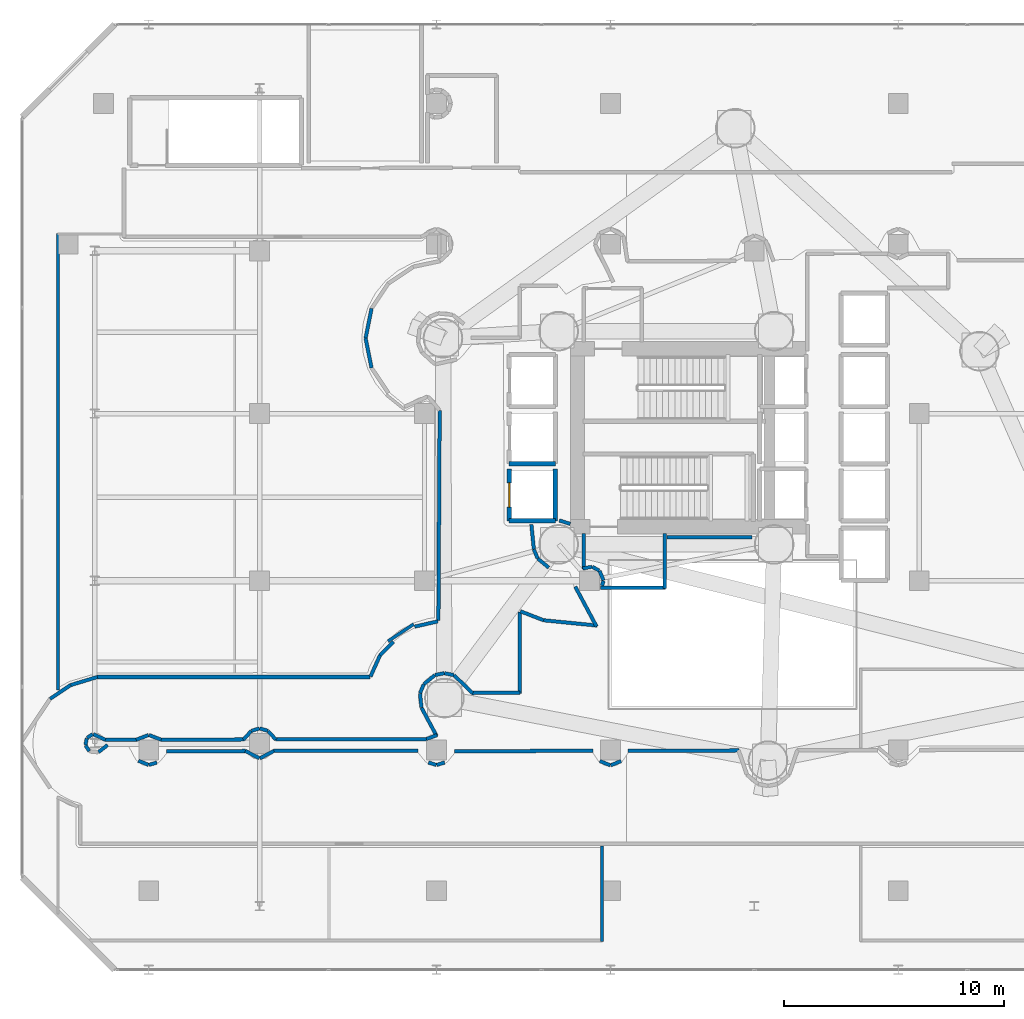
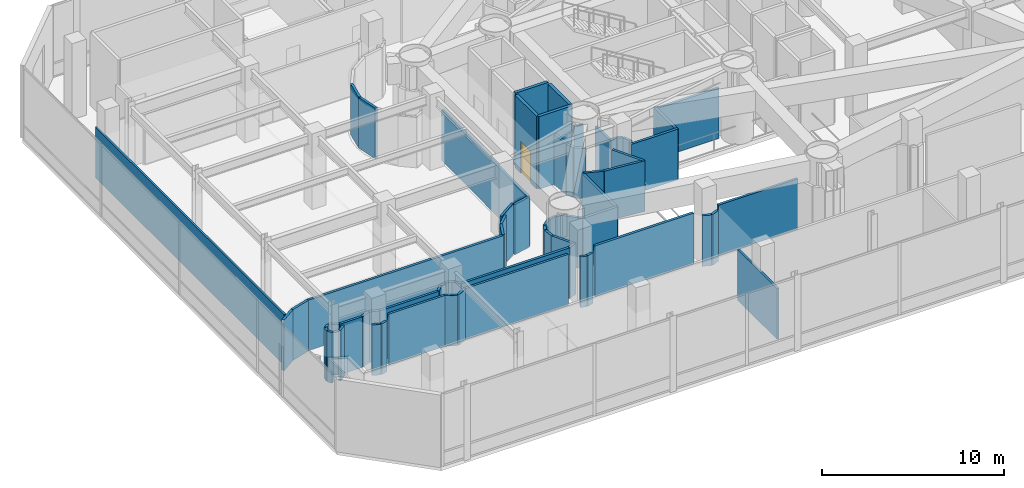
# One storey, part 30 of 40: 67 walls, 1 door, 1 opening.
"""IFC4 building model written with IfcOpenShell, lengths in metres."""

from ifc_helpers import new_model, si_unit, direction, frame, frame_2d, origin, place, context, subcontext, project, spatial, rectangle, extrude, material, layer, layer_set, type_object, element, fill, save


model = new_model("IFC4")

# Units and contexts
model_context = context("Model", 3, precision=1e-05, world=origin(), true_north=direction((0.0, 1.0)))
body_context = subcontext(model_context, "Body", "Model", "MODEL_VIEW")
ifc_project = project(units=[si_unit("LENGTHUNIT", "METRE"), si_unit("AREAUNIT", "SQUARE_METRE"), si_unit("VOLUMEUNIT", "CUBIC_METRE"), si_unit("PLANEANGLEUNIT", "RADIAN"), si_unit("MASSUNIT", "GRAM", prefix="KILO")], contexts=[model_context])

# Site, building, storey
site_placement = place(None, origin())
site = spatial("IfcSite", under=ifc_project, at=site_placement, CompositionType="ELEMENT")
building_placement = place(site_placement, origin())
building = spatial("IfcBuilding", under=site, at=building_placement, Name="Qianvela Tower", CompositionType="ELEMENT")
storey_placement = place(building_placement, frame((0.0, 0.0, 20.60009765625)))
storey = spatial("IfcBuildingStorey", under=building, at=storey_placement, Name="L04", CompositionType="ELEMENT", Elevation=20.60009765625)

# Walls
ifc_material_1 = material(Name="Fire-Rated Gypsum and Concrete Block", Category="concrete")
ifc_layer_1 = layer(ifc_material_1, 0.159912109375)
ifc_layer_set_1 = layer_set([ifc_layer_1], Name="Fire-Rated Gypsum and Concrete Block")
wall_type_1 = type_object("IfcWallType", Name="WT-CORR-160", PredefinedType="PARTITIONING", material=ifc_layer_set_1)
wall_1_placement = place(storey_placement, frame((30.569091796875, 21.970458984375, 0.0), z_axis=(0.0, 0.0, 1.0), x_axis=(0.304162531931, 0.952620152091, 0.0)))
element("IfcWall", 1, at=wall_1_placement, inside=storey, type_object=wall_type_1, Name="L04 Partition 5", PredefinedType="PARTITIONING", context=body_context, shape_type="SweptSolid", body=[
    extrude(rectangle(XDim=0.231201171875, YDim=0.159912109375, at=frame_2d((0.11572265625, 0.0))), origin(), (0.0, 0.0, 1.0), 3.39990234375),
])
wall_2_placement = place(storey_placement, frame((30.638671875, 22.2119140625, 0.0), z_axis=(0.0, 0.0, 1.0), x_axis=(-0.382721202621, 0.923863886655, 0.0)))
element("IfcWall", 2, at=wall_2_placement, inside=storey, type_object=wall_type_1, Name="L04 Partition 6", PredefinedType="PARTITIONING", context=body_context, shape_type="SweptSolid", body=[
    extrude(rectangle(XDim=0.467041015625, YDim=0.159912109375, at=frame_2d((0.2333984375, 0.0))), origin(), (0.0, 0.0, 1.0), 3.39990234375),
])
wall_3_placement = place(storey_placement, frame((30.44580078125, 22.65869140625, 0.0), z_axis=(0.0, 0.0, 1.0), x_axis=(-0.881817981942, 0.471589913721, 0.0)))
element("IfcWall", 3, at=wall_3_placement, inside=storey, type_object=wall_type_1, Name="L04 Partition 7", PredefinedType="PARTITIONING", context=body_context, shape_type="SweptSolid", body=[
    extrude(rectangle(XDim=0.35400390625, YDim=0.159912109375, at=frame_2d((0.177001953125, 0.0))), origin(), (0.0, 0.0, 1.0), 3.39990234375),
])
wall_4_placement = place(storey_placement, frame((30.114013671875, 22.828857421875, 0.0), z_axis=(0.0, 0.0, 1.0), x_axis=(-0.986222627979, -0.165423480989, 0.0)))
element("IfcWall", 4, at=wall_4_placement, inside=storey, type_object=wall_type_1, Name="L04 Partition 8", PredefinedType="PARTITIONING", context=body_context, shape_type="SweptSolid", body=[
    extrude(rectangle(XDim=0.425048828125, YDim=0.159912109375, at=frame_2d((0.21240234375, 0.0))), origin(), (0.0, 0.0, 1.0), 3.39990234375),
])
wall_5_placement = place(storey_placement, frame((29.73095703125, 22.72802734375, 0.0), z_axis=(0.0, 0.0, 1.0), x_axis=(0.0, 1.0, 0.0)))
element("IfcWall", 5, at=wall_5_placement, inside=storey, type_object=wall_type_1, Name="L04 Partition 9", PredefinedType="PARTITIONING", context=body_context, shape_type="SweptSolid", body=[
    extrude(rectangle(XDim=1.614013671875, YDim=0.159912109375, at=frame_2d((0.80712890625, 0.0))), origin(), (0.0, 0.0, 1.0), 3.3779296875),
])
wall_6_placement = place(storey_placement, frame((33.4189453125, 24.342041015625, 0.0), z_axis=(0.0, 0.0, 1.0), x_axis=(0.0, -1.0, 0.0)))
element("IfcWall", 6, at=wall_6_placement, inside=storey, type_object=wall_type_1, Name="L04 Partition 11", PredefinedType="PARTITIONING", context=body_context, shape_type="SweptSolid", body=[
    extrude(rectangle(XDim=2.491943359375, YDim=0.159912109375, at=frame_2d((1.24609375, 0.0))), origin(), (0.0, 0.0, 1.0), 3.3779296875),
])
wall_7_placement = place(storey_placement, frame((33.449951171875, 21.881103515625, 0.0), z_axis=(0.0, 0.0, 1.0), x_axis=(-1.0, 0.0, 0.0)))
element("IfcWall", 7, at=wall_7_placement, inside=storey, type_object=wall_type_1, Name="L04 Partition 12", PredefinedType="PARTITIONING", context=body_context, shape_type="SweptSolid", body=[
    extrude(rectangle(XDim=2.951904296875, YDim=0.159912109375, at=frame_2d((1.47607421875, 0.0))), origin(), (0.0, 0.0, 1.0), 3.39990234375),
])
wall_8_placement = place(storey_placement, frame((29.1298828125, 24.781982421875, 0.0), z_axis=(0.0, 0.0, 1.0), x_axis=(-0.955000482512, 0.296604245422, 0.0)))
element("IfcWall", 8, at=wall_8_placement, inside=storey, type_object=wall_type_1, Name="L04 Partition 29", PredefinedType="PARTITIONING", context=body_context, shape_type="SweptSolid", body=[
    extrude(rectangle(XDim=0.5244140625, YDim=0.159912109375, at=frame_2d((0.26220703125, 0.0))), origin(), (0.0, 0.0, 1.0), 3.39990234375),
])
wall_9_placement = place(storey_placement, frame((37.388671875, 24.180908203125, 0.0), z_axis=(0.0, 0.0, 1.0), x_axis=(-1.0, 0.0, 0.0)))
element("IfcWall", 9, at=wall_9_placement, inside=storey, type_object=wall_type_1, Name="L04 Partition 35", PredefinedType="PARTITIONING", context=body_context, shape_type="SweptSolid", body=[
    extrude(rectangle(XDim=3.858642578125, YDim=0.159912109375, at=frame_2d((1.92919921875, 0.0))), origin(), (0.0, 0.0, 1.0), 3.3779296875),
])
wall_10_placement = place(storey_placement, frame((7.982177734375, 14.9580078125, 0.0), z_axis=(0.0, 0.0, 1.0), x_axis=(-0.901711421795, 0.432338422771, 0.0)))
element("IfcWall", 10, at=wall_10_placement, inside=storey, type_object=wall_type_1, Name="L04 Partition 36", PredefinedType="PARTITIONING", context=body_context, shape_type="SweptSolid", body=[
    extrude(rectangle(XDim=0.6064453125, YDim=0.159912109375, at=frame_2d((0.30322265625, 0.0))), origin(), (0.0, 0.0, 1.0), 3.39990234375),
])
for number, where, z_axis, x_axis, name in (
    (11, (7.40478515625, 15.218017578125, 0.0), (0.0, 0.0, 1.0), (-0.83180482467, -0.555068224325, 0.0), "L04 Partition 37"),
    (12, (7.136962890625, 15.0283203125, 0.0), (0.0, 0.0, 1.0), (-0.194582302114, -0.980886195083, 0.0), "L04 Partition 38"),
    (13, (7.081787109375, 14.70458984375, 0.0), (0.0, 0.0, 1.0), (0.555988102953, -0.831190248604, 0.0), "L04 Partition 39"),
):
    element("IfcWall", number, at=place(storey_placement, frame(where, z_axis=z_axis, x_axis=x_axis)), inside=storey, type_object=wall_type_1, Name=name, PredefinedType="PARTITIONING", context=body_context, shape_type="SweptSolid", body=[
        extrude(rectangle(XDim=0.30615234375, YDim=0.159912109375, at=frame_2d((0.153076171875, 0.0))), origin(), (0.0, 0.0, 1.0), 3.39990234375),
    ])
wall_11_placement = place(storey_placement, frame((7.672119140625, 14.406005859375, 0.0), z_axis=(0.0, 0.0, 1.0), x_axis=(0.791408132768, 0.611288121419, 0.0)))
element("IfcWall", 14, at=wall_11_placement, inside=storey, type_object=wall_type_1, Name="L04 Partition 41", PredefinedType="PARTITIONING", context=body_context, shape_type="SweptSolid", body=[
    extrude(rectangle(XDim=0.523193359375, YDim=0.159912109375, at=frame_2d((0.26171875, 0.0))), origin(), (0.0, 0.0, 1.0), 3.39990234375),
])
wall_12_placement = place(storey_placement, frame((9.48388671875, 14.01171875, 0.0), z_axis=(0.0, 0.0, 1.0), x_axis=(0.923873311503, -0.382698450862, 0.0)))
element("IfcWall", 15, at=wall_12_placement, inside=storey, type_object=wall_type_1, Name="L04 Partition 44", PredefinedType="PARTITIONING", context=body_context, shape_type="SweptSolid", body=[
    extrude(rectangle(XDim=0.49755859375, YDim=0.159912109375, at=frame_2d((0.248779296875, 0.0))), origin(), (0.0, 0.0, 1.0), 3.39990234375),
])
wall_13_placement = place(storey_placement, frame((9.96435546875, 13.8203125, 0.0), z_axis=(0.0, 0.0, 1.0), x_axis=(0.956877365317, 0.290492181898, 0.0)))
element("IfcWall", 16, at=wall_13_placement, inside=storey, type_object=wall_type_1, Name="L04 Partition 45", PredefinedType="PARTITIONING", context=body_context, shape_type="SweptSolid", body=[
    extrude(rectangle(XDim=0.37744140625, YDim=0.159912109375, at=frame_2d((0.188720703125, 0.0))), origin(), (0.0, 0.0, 1.0), 3.39990234375),
])
wall_14_placement = place(storey_placement, frame((10.772216796875, 14.4443359375, 0.0), z_axis=(0.0, 0.0, 1.0), x_axis=(0.999996839238, 0.002514262235, 0.0)))
element("IfcWall", 17, at=wall_14_placement, inside=storey, type_object=wall_type_1, Name="L04 Partition 47", PredefinedType="PARTITIONING", context=body_context, shape_type="SweptSolid", body=[
    extrude(rectangle(XDim=3.5927734375, YDim=0.159912109375, at=frame_2d((1.79638671875, 0.0))), origin(), (0.0, 0.0, 1.0), 3.39990234375),
])
wall_15_placement = place(storey_placement, frame((14.350341796875, 14.45703125, 0.0), z_axis=(0.0, 0.0, 1.0), x_axis=(0.884844444862, -0.46588658319, 0.0)))
element("IfcWall", 18, at=wall_15_placement, inside=storey, type_object=wall_type_1, Name="L04 Partition 48", PredefinedType="PARTITIONING", context=body_context, shape_type="SweptSolid", body=[
    extrude(rectangle(XDim=0.718017578125, YDim=0.159912109375, at=frame_2d((0.35888671875, 0.0))), origin(), (0.0, 0.0, 1.0), 3.39990234375),
])
wall_16_placement = place(storey_placement, frame((15.014404296875, 14.12255859375, 0.0), z_axis=(0.0, 0.0, 1.0), x_axis=(0.884206543693, 0.467096122967, 0.0)))
element("IfcWall", 19, at=wall_16_placement, inside=storey, type_object=wall_type_1, Name="L04 Partition 49", PredefinedType="PARTITIONING", context=body_context, shape_type="SweptSolid", body=[
    extrude(rectangle(XDim=0.722900390625, YDim=0.159912109375, at=frame_2d((0.361328125, 0.0))), origin(), (0.0, 0.0, 1.0), 3.39990234375),
])
wall_17_placement = place(storey_placement, frame((15.63916015625, 14.45654296875, 0.0), z_axis=(0.0, 0.0, 1.0), x_axis=(0.99999689636, 0.002491439538, 0.0)))
element("IfcWall", 20, at=wall_17_placement, inside=storey, type_object=wall_type_1, Name="L04 Partition 50", PredefinedType="PARTITIONING", context=body_context, shape_type="SweptSolid", body=[
    extrude(rectangle(XDim=6.5654296875, YDim=0.159912109375, at=frame_2d((3.28271484375, 0.0))), origin(), (0.0, 0.0, 1.0), 3.39990234375),
])
for number, where, z_axis, x_axis, name in (
    (21, (22.674560546875, 13.929931640625, 0.0), (0.0, 0.0, 1.0), (0.956877365317, -0.290492181898, 0.0), "L04 Partition 52"),
    (22, (23.0537109375, 13.8203125, 0.0), (0.0, 0.0, 1.0), (0.956877365317, 0.290492181898, 0.0), "L04 Partition 53"),
):
    element("IfcWall", number, at=place(storey_placement, frame(where, z_axis=z_axis, x_axis=x_axis)), inside=storey, type_object=wall_type_1, Name=name, PredefinedType="PARTITIONING", context=body_context, shape_type="SweptSolid", body=[
        extrude(rectangle(XDim=0.37744140625, YDim=0.159912109375, at=frame_2d((0.188720703125, 0.0))), origin(), (0.0, 0.0, 1.0), 3.39990234375),
    ])
wall_18_placement = place(storey_placement, frame((23.861328125, 14.4443359375, 0.0), z_axis=(0.0, 0.0, 1.0), x_axis=(0.999996837175, 0.002515082588, 0.0)))
element("IfcWall", 23, at=wall_18_placement, inside=storey, type_object=wall_type_1, Name="L04 Partition 55", PredefinedType="PARTITIONING", context=body_context, shape_type="SweptSolid", body=[
    extrude(rectangle(XDim=6.3095703125, YDim=0.159912109375, at=frame_2d((3.15478515625, 0.0))), origin(), (0.0, 0.0, 1.0), 3.39990234375),
])
wall_19_placement = place(storey_placement, frame((30.4697265625, 13.99755859375, 0.0), z_axis=(0.0, 0.0, 1.0), x_axis=(0.924045828763, -0.382281710714, 0.0)))
element("IfcWall", 24, at=wall_19_placement, inside=storey, type_object=wall_type_1, Name="L04 Partition 56", PredefinedType="PARTITIONING", context=body_context, shape_type="SweptSolid", body=[
    extrude(rectangle(XDim=0.512939453125, YDim=0.159912109375, at=frame_2d((0.25634765625, 0.0))), origin(), (0.0, 0.0, 1.0), 3.39990234375),
])
wall_20_placement = place(storey_placement, frame((30.96728515625, 13.801513671875, 0.0), z_axis=(0.0, 0.0, 1.0), x_axis=(0.923976210744, 0.382449947024, 0.0)))
element("IfcWall", 25, at=wall_20_placement, inside=storey, type_object=wall_type_1, Name="L04 Partition 57", PredefinedType="PARTITIONING", context=body_context, shape_type="SweptSolid", body=[
    extrude(rectangle(XDim=0.5126953125, YDim=0.159912109375, at=frame_2d((0.25634765625, 0.0))), origin(), (0.0, 0.0, 1.0), 3.39990234375),
])
wall_21_placement = place(storey_placement, frame((31.74267578125, 14.464111328125, 0.0), z_axis=(0.0, 0.0, 1.0), x_axis=(0.999996856908, 0.002507224521, 0.0)))
element("IfcWall", 26, at=wall_21_placement, inside=storey, type_object=wall_type_1, Name="L04 Partition 58", PredefinedType="PARTITIONING", context=body_context, shape_type="SweptSolid", body=[
    extrude(rectangle(XDim=5.0634765625, YDim=0.159912109375, at=frame_2d((2.53173828125, 0.0))), origin(), (0.0, 0.0, 1.0), 3.3779296875),
])
wall_22_placement = place(storey_placement, frame((5.466552734375, 16.82470703125, 0.0), z_axis=(0.0, 0.0, 1.0), x_axis=(0.831385943955, 0.555695431144, 0.0)))
element("IfcWall", 27, at=wall_22_placement, inside=storey, type_object=wall_type_1, Name="L04 Partition 92", PredefinedType="PARTITIONING", context=body_context, shape_type="SweptSolid", body=[
    extrude(rectangle(XDim=1.1318359375, YDim=0.159912109375, at=frame_2d((0.56591796875, 0.0))), origin(), (0.0, 0.0, 1.0), 3.39990234375),
])
wall_23_placement = place(storey_placement, frame((6.399169921875, 17.44970703125, 0.0), z_axis=(0.0, 0.0, 1.0), x_axis=(0.956969723054, 0.29018778258, 0.0)))
element("IfcWall", 28, at=wall_23_placement, inside=storey, type_object=wall_type_1, Name="L04 Partition 93", PredefinedType="PARTITIONING", context=body_context, shape_type="SweptSolid", body=[
    extrude(rectangle(XDim=1.277099609375, YDim=0.159912109375, at=frame_2d((0.638671875, 0.0))), origin(), (0.0, 0.0, 1.0), 3.39990234375),
])
wall_24_placement = place(storey_placement, frame((7.6123046875, 17.819091796875, 0.0), z_axis=(0.0, 0.0, 1.0), x_axis=(1.0, 0.0, 0.0)))
element("IfcWall", 29, at=wall_24_placement, inside=storey, type_object=wall_type_1, Name="L04 Partition 94", PredefinedType="PARTITIONING", context=body_context, shape_type="SweptSolid", body=[
    extrude(rectangle(XDim=12.400146484375, YDim=0.159912109375, at=frame_2d((6.2001953125, 0.0))), origin(), (0.0, 0.0, 1.0), 3.39990234375),
])
wall_25_placement = place(storey_placement, frame((20.040771484375, 17.83740234375, 0.0), z_axis=(0.0, 0.0, 1.0), x_axis=(0.408788829115, 0.912629000849, 0.0)))
element("IfcWall", 30, at=wall_25_placement, inside=storey, type_object=wall_type_1, Name="L04 Partition 95", PredefinedType="PARTITIONING", context=body_context, shape_type="SweptSolid", body=[
    extrude(rectangle(XDim=1.076171875, YDim=0.159912109375, at=frame_2d((0.5380859375, 0.0))), origin(), (0.0, 0.0, 1.0), 3.39990234375),
])
wall_26_placement = place(storey_placement, frame((20.47412109375, 18.810302734375, 0.0), z_axis=(0.0, 0.0, 1.0), x_axis=(0.707106781187, 0.707106781187, 0.0)))
element("IfcWall", 31, at=wall_26_placement, inside=storey, type_object=wall_type_1, Name="L04 Partition 96", PredefinedType="PARTITIONING", context=body_context, shape_type="SweptSolid", body=[
    extrude(rectangle(XDim=0.87109375, YDim=0.159912109375, at=frame_2d((0.435546875, 0.0))), origin(), (0.0, 0.0, 1.0), 3.39990234375),
])
wall_27_placement = place(storey_placement, frame((22.052490234375, 20.109619140625, 0.0), z_axis=(0.0, 0.0, 1.0), x_axis=(0.975015186626, 0.222138213392, 0.0)))
element("IfcWall", 32, at=wall_27_placement, inside=storey, type_object=wall_type_1, Name="L04 Partition 98", PredefinedType="PARTITIONING", context=body_context, shape_type="SweptSolid", body=[
    extrude(rectangle(XDim=1.08154296875, YDim=0.159912109375, at=frame_2d((0.540771484375, 0.0))), origin(), (0.0, 0.0, 1.0), 3.3779296875),
])
wall_28_placement = place(storey_placement, frame((23.131103515625, 20.3798828125, 0.0), z_axis=(0.0, 0.0, 1.0), x_axis=(0.005956079326, 0.999982262402, 0.0)))
element("IfcWall", 33, at=wall_28_placement, inside=storey, type_object=wall_type_1, Name="L04 Partition 99", PredefinedType="PARTITIONING", context=body_context, shape_type="SweptSolid", body=[
    extrude(rectangle(XDim=9.55078125, YDim=0.159912109375, at=frame_2d((4.775390625, 0.0))), origin(), (0.0, 0.0, 1.0), 3.3779296875),
])
wall_29_placement = place(storey_placement, frame((20.088623046875, 31.87548828125, 0.0), z_axis=(0.0, 0.0, 1.0), x_axis=(-0.195132981816, 0.980776793877, 0.0)))
element("IfcWall", 34, at=wall_29_placement, inside=storey, type_object=wall_type_1, Name="L04 Partition 104", PredefinedType="PARTITIONING", context=body_context, shape_type="SweptSolid", body=[
    extrude(rectangle(XDim=1.385009765625, YDim=0.159912109375, at=frame_2d((0.6923828125, 0.0))), origin(), (0.0, 0.0, 1.0), 3.39990234375),
])
wall_30_placement = place(storey_placement, frame((19.818359375, 33.221923828125, 0.0), z_axis=(0.0, 0.0, 1.0), x_axis=(0.195099252282, 0.980783504021, 0.0)))
element("IfcWall", 35, at=wall_30_placement, inside=storey, type_object=wall_type_1, Name="L04 Partition 105", PredefinedType="PARTITIONING", context=body_context, shape_type="SweptSolid", body=[
    extrude(rectangle(XDim=1.38525390625, YDim=0.159912109375, at=frame_2d((0.692626953125, 0.0))), origin(), (0.0, 0.0, 1.0), 3.39990234375),
])
wall_31_placement = place(storey_placement, frame((27.359619140625, 24.757080078125, 0.0), z_axis=(0.0, 0.0, 1.0), x_axis=(0.097947688066, -0.995191564676, 0.0)))
element("IfcWall", 36, at=wall_31_placement, inside=storey, type_object=wall_type_1, Name="L04 Partition 156", PredefinedType="PARTITIONING", context=body_context, shape_type="SweptSolid", body=[
    extrude(rectangle(XDim=1.134033203125, YDim=0.159912109375, at=frame_2d((0.56689453125, 0.0))), origin(), (0.0, 0.0, 1.0), 3.39990234375),
])
wall_32_placement = place(storey_placement, frame((27.472900390625, 23.61962890625, 0.0), z_axis=(0.0, 0.0, 1.0), x_axis=(0.382631351728, -0.923901103298, 0.0)))
element("IfcWall", 37, at=wall_32_placement, inside=storey, type_object=wall_type_1, Name="L04 Partition 157", PredefinedType="PARTITIONING", context=body_context, shape_type="SweptSolid", body=[
    extrude(rectangle(XDim=0.43701171875, YDim=0.159912109375, at=frame_2d((0.218505859375, 0.0))), origin(), (0.0, 0.0, 1.0), 3.3779296875),
])
wall_33_placement = place(storey_placement, frame((27.649169921875, 23.203857421875, 0.0), z_axis=(0.0, 0.0, 1.0), x_axis=(0.772818338666, -0.634627304346, 0.0)))
element("IfcWall", 38, at=wall_33_placement, inside=storey, type_object=wall_type_1, Name="L04 Partition 158", PredefinedType="PARTITIONING", context=body_context, shape_type="SweptSolid", body=[
    extrude(rectangle(XDim=0.650146484375, YDim=0.159912109375, at=frame_2d((0.3251953125, 0.0))), origin(), (0.0, 0.0, 1.0), 3.3779296875),
])
wall_34_placement = place(storey_placement, frame((29.353759765625, 21.928955078125, 0.0), z_axis=(0.0, 0.0, 1.0), x_axis=(0.471375681313, -0.881932518432, 0.0)))
element("IfcWall", 39, at=wall_34_placement, inside=storey, type_object=wall_type_1, Name="L04 Partition 161", PredefinedType="PARTITIONING", context=body_context, shape_type="SweptSolid", body=[
    extrude(rectangle(XDim=2.059326171875, YDim=0.159912109375, at=frame_2d((1.02978515625, 0.0))), origin(), (0.0, 0.0, 1.0), 3.39990234375),
])
wall_35_placement = place(storey_placement, frame((30.354736328125, 20.158203125, 0.0), z_axis=(0.0, 0.0, 1.0), x_axis=(-0.995175956992, 0.098106139588, 0.0)))
element("IfcWall", 40, at=wall_35_placement, inside=storey, type_object=wall_type_1, Name="L04 Partition 162", PredefinedType="PARTITIONING", context=body_context, shape_type="SweptSolid", body=[
    extrude(rectangle(XDim=2.456298828125, YDim=0.159912109375, at=frame_2d((1.22802734375, 0.0))), origin(), (0.0, 0.0, 1.0), 3.39990234375),
])
wall_36_placement = place(storey_placement, frame((27.918701171875, 20.397216796875, 0.0), z_axis=(0.0, 0.0, 1.0), x_axis=(-0.932053116436, 0.362321663915, 0.0)))
element("IfcWall", 41, at=wall_36_placement, inside=storey, type_object=wall_type_1, Name="L04 Partition 163", PredefinedType="PARTITIONING", context=body_context, shape_type="SweptSolid", body=[
    extrude(rectangle(XDim=1.134765625, YDim=0.159912109375, at=frame_2d((0.5673828125, 0.0))), origin(), (0.0, 0.0, 1.0), 3.39990234375),
])
wall_37_placement = place(storey_placement, frame((26.819091796875, 20.779541015625, 0.0), z_axis=(0.0, 0.0, 1.0), x_axis=(0.0, -1.0, 0.0)))
element("IfcWall", 42, at=wall_37_placement, inside=storey, type_object=wall_type_1, Name="L04 Partition 164", PredefinedType="PARTITIONING", context=body_context, shape_type="SweptSolid", body=[
    extrude(rectangle(XDim=3.713623046875, YDim=0.159912109375, at=frame_2d((1.85693359375, 0.0))), origin(), (0.0, 0.0, 1.0), 3.3779296875),
])
wall_38_placement = place(storey_placement, frame((26.849853515625, 17.096923828125, 0.0), z_axis=(0.0, 0.0, 1.0), x_axis=(-0.999996725859, -0.002558959134, 0.0)))
element("IfcWall", 43, at=wall_38_placement, inside=storey, type_object=wall_type_1, Name="L04 Partition 165", PredefinedType="PARTITIONING", context=body_context, shape_type="SweptSolid", body=[
    extrude(rectangle(XDim=2.1943359375, YDim=0.159912109375, at=frame_2d((1.09716796875, 0.0))), origin(), (0.0, 0.0, 1.0), 3.3779296875),
])
wall_39_placement = place(storey_placement, frame((24.677490234375, 17.08251953125, 0.0), z_axis=(0.0, 0.0, 1.0), x_axis=(-0.713472491748, 0.700683240501, 0.0)))
element("IfcWall", 44, at=wall_39_placement, inside=storey, type_object=wall_type_1, Name="L04 Partition 166", PredefinedType="PARTITIONING", context=body_context, shape_type="SweptSolid", body=[
    extrude(rectangle(XDim=1.16455078125, YDim=0.159912109375, at=frame_2d((0.582275390625, 0.0))), origin(), (0.0, 0.0, 1.0), 3.3779296875),
])
wall_40_placement = place(storey_placement, frame((23.8310546875, 17.90673828125, 0.0), z_axis=(0.0, 0.0, 1.0), x_axis=(-0.980798750293, 0.195022592087, 0.0)))
element("IfcWall", 45, at=wall_40_placement, inside=storey, type_object=wall_type_1, Name="L04 Partition 167", PredefinedType="PARTITIONING", context=body_context, shape_type="SweptSolid", body=[
    extrude(rectangle(XDim=0.429443359375, YDim=0.159912109375, at=frame_2d((0.21484375, 0.0))), origin(), (0.0, 0.0, 1.0), 3.3779296875),
])
wall_41_placement = place(storey_placement, frame((23.39794921875, 17.990478515625, 0.0), z_axis=(0.0, 0.0, 1.0), x_axis=(-0.980777106964, -0.195131408172, 0.0)))
element("IfcWall", 46, at=wall_41_placement, inside=storey, type_object=wall_type_1, Name="L04 Partition 168", PredefinedType="PARTITIONING", context=body_context, shape_type="SweptSolid", body=[
    extrude(rectangle(XDim=0.42919921875, YDim=0.159912109375, at=frame_2d((0.214599609375, 0.0))), origin(), (0.0, 0.0, 1.0), 3.3779296875),
])
wall_42_placement = place(storey_placement, frame((22.96337890625, 17.900146484375, 0.0), z_axis=(0.0, 0.0, 1.0), x_axis=(-0.773087792469, -0.634299034474, 0.0)))
element("IfcWall", 47, at=wall_42_placement, inside=storey, type_object=wall_type_1, Name="L04 Partition 169", PredefinedType="PARTITIONING", context=body_context, shape_type="SweptSolid", body=[
    extrude(rectangle(XDim=0.638427734375, YDim=0.159912109375, at=frame_2d((0.3193359375, 0.0))), origin(), (0.0, 0.0, 1.0), 3.39990234375),
])
wall_43_placement = place(storey_placement, frame((22.460693359375, 17.48291015625, 0.0), z_axis=(0.0, 0.0, 1.0), x_axis=(-0.38283742983, -0.923815729635, 0.0)))
element("IfcWall", 48, at=wall_43_placement, inside=storey, type_object=wall_type_1, Name="L04 Partition 170", PredefinedType="PARTITIONING", context=body_context, shape_type="SweptSolid", body=[
    extrude(rectangle(XDim=0.42919921875, YDim=0.159912109375, at=frame_2d((0.214599609375, 0.0))), origin(), (0.0, 0.0, 1.0), 3.39990234375),
])
wall_44_placement = place(storey_placement, frame((22.294189453125, 17.071533203125, 0.0), z_axis=(0.0, 0.0, 1.0), x_axis=(0.098254498399, -0.995161320362, 0.0)))
element("IfcWall", 49, at=wall_44_placement, inside=storey, type_object=wall_type_1, Name="L04 Partition 171", PredefinedType="PARTITIONING", context=body_context, shape_type="SweptSolid", body=[
    extrude(rectangle(XDim=0.638671875, YDim=0.159912109375, at=frame_2d((0.3193359375, 0.0))), origin(), (0.0, 0.0, 1.0), 3.39990234375),
])
wall_45_placement = place(storey_placement, frame((22.3603515625, 16.42431640625, 0.0), z_axis=(0.0, 0.0, 1.0), x_axis=(0.471504621347, -0.881863590386, 0.0)))
element("IfcWall", 50, at=wall_45_placement, inside=storey, type_object=wall_type_1, Name="L04 Partition 172", PredefinedType="PARTITIONING", context=body_context, shape_type="SweptSolid", body=[
    extrude(rectangle(XDim=1.46533203125, YDim=0.159912109375, at=frame_2d((0.732666015625, 0.0))), origin(), (0.0, 0.0, 1.0), 3.39990234375),
])
wall_46_placement = place(storey_placement, frame((23.067626953125, 15.17578125, 0.0), z_axis=(0.0, 0.0, 1.0), x_axis=(-0.937469307534, -0.348067949447, 0.0)))
element("IfcWall", 51, at=wall_46_placement, inside=storey, type_object=wall_type_1, Name="L04 Partition 173", PredefinedType="PARTITIONING", context=body_context, shape_type="SweptSolid", body=[
    extrude(rectangle(XDim=0.516845703125, YDim=0.159912109375, at=frame_2d((0.25830078125, 0.0))), origin(), (0.0, 0.0, 1.0), 3.39990234375),
])
wall_47_placement = place(storey_placement, frame((22.593505859375, 14.997802734375, 0.0), z_axis=(0.0, 0.0, 1.0), x_axis=(-0.999996914371, -0.002484199872, 0.0)))
element("IfcWall", 52, at=wall_47_placement, inside=storey, type_object=wall_type_1, Name="L04 Partition 174", PredefinedType="PARTITIONING", context=body_context, shape_type="SweptSolid", body=[
    extrude(rectangle(XDim=6.87939453125, YDim=0.159912109375, at=frame_2d((3.439697265625, 0.0))), origin(), (0.0, 0.0, 1.0), 3.39990234375),
])
wall_48_placement = place(storey_placement, frame((15.737060546875, 14.97021484375, 0.0), z_axis=(0.0, 0.0, 1.0), x_axis=(-0.67026978841, 0.74211751815, 0.0)))
element("IfcWall", 53, at=wall_48_placement, inside=storey, type_object=wall_type_1, Name="L04 Partition 175", PredefinedType="PARTITIONING", context=body_context, shape_type="SweptSolid", body=[
    extrude(rectangle(XDim=0.526611328125, YDim=0.159912109375, at=frame_2d((0.26318359375, 0.0))), origin(), (0.0, 0.0, 1.0), 3.39990234375),
])
for number, where, z_axis, x_axis, name in (
    (54, (15.3701171875, 15.3701171875, 0.0), (0.0, 0.0, 1.0), (-0.956877365317, 0.290492181898, 0.0), "L04 Partition 176"),
    (55, (14.990966796875, 15.479736328125, 0.0), (0.0, 0.0, 1.0), (-0.956877365317, -0.290492181898, 0.0), "L04 Partition 177"),
):
    element("IfcWall", number, at=place(storey_placement, frame(where, z_axis=z_axis, x_axis=x_axis)), inside=storey, type_object=wall_type_1, Name=name, PredefinedType="PARTITIONING", context=body_context, shape_type="SweptSolid", body=[
        extrude(rectangle(XDim=0.37744140625, YDim=0.159912109375, at=frame_2d((0.188720703125, 0.0))), origin(), (0.0, 0.0, 1.0), 3.39990234375),
    ])
wall_49_placement = place(storey_placement, frame((14.615966796875, 15.361083984375, 0.0), z_axis=(0.0, 0.0, 1.0), x_axis=(-0.670106609801, -0.742264866137, 0.0)))
element("IfcWall", 56, at=wall_49_placement, inside=storey, type_object=wall_type_1, Name="L04 Partition 178", PredefinedType="PARTITIONING", context=body_context, shape_type="SweptSolid", body=[
    extrude(rectangle(XDim=0.53125, YDim=0.159912109375, at=frame_2d((0.265625, 0.0))), origin(), (0.0, 0.0, 1.0), 3.39990234375),
])
wall_50_placement = place(storey_placement, frame((14.282958984375, 14.97705078125, 0.0), z_axis=(0.0, 0.0, 1.0), x_axis=(-0.999996814453, -0.002524100431, 0.0)))
element("IfcWall", 57, at=wall_50_placement, inside=storey, type_object=wall_type_1, Name="L04 Partition 179", PredefinedType="PARTITIONING", context=body_context, shape_type="SweptSolid", body=[
    extrude(rectangle(XDim=3.772216796875, YDim=0.159912109375, at=frame_2d((1.88623046875, 0.0))), origin(), (0.0, 0.0, 1.0), 3.39990234375),
])
wall_51_placement = place(storey_placement, frame((10.52197265625, 14.965576171875, 0.0), z_axis=(0.0, 0.0, 1.0), x_axis=(-0.933483016847, 0.358621607351, 0.0)))
element("IfcWall", 58, at=wall_51_placement, inside=storey, type_object=wall_type_1, Name="L04 Partition 180", PredefinedType="PARTITIONING", context=body_context, shape_type="SweptSolid", body=[
    extrude(rectangle(XDim=0.594970703125, YDim=0.159912109375, at=frame_2d((0.29736328125, 0.0))), origin(), (0.0, 0.0, 1.0), 3.39990234375),
])
wall_52_placement = place(storey_placement, frame((9.944091796875, 15.178955078125, 0.0), z_axis=(0.0, 0.0, 1.0), x_axis=(-0.932947074908, -0.360013548941, 0.0)))
element("IfcWall", 59, at=wall_52_placement, inside=storey, type_object=wall_type_1, Name="L04 Partition 181", PredefinedType="PARTITIONING", context=body_context, shape_type="SweptSolid", body=[
    extrude(rectangle(XDim=0.600830078125, YDim=0.159912109375, at=frame_2d((0.30029296875, 0.0))), origin(), (0.0, 0.0, 1.0), 3.39990234375),
])
wall_53_placement = place(storey_placement, frame((9.39453125, 14.96484375, 0.0), z_axis=(0.0, 0.0, 1.0), x_axis=(-0.999996701438, -0.002568484678, 0.0)))
element("IfcWall", 60, at=wall_53_placement, inside=storey, type_object=wall_type_1, Name="L04 Partition 182", PredefinedType="PARTITIONING", context=body_context, shape_type="SweptSolid", body=[
    extrude(rectangle(XDim=1.42578125, YDim=0.159912109375, at=frame_2d((0.712890625, 0.0))), origin(), (0.0, 0.0, 1.0), 3.39990234375),
])
ifc_material_2 = material(Name="Insulated Gypsum Stud Partition")
ifc_layer_2 = layer(ifc_material_2, 0.1201171875)
ifc_layer_set_2 = layer_set([ifc_layer_2], Name="Insulated Gypsum Stud Partition")
wall_type_2 = type_object("IfcWallType", Name="WT-PART-120", PredefinedType="PARTITIONING", material=ifc_layer_set_2)
wall_54_placement = place(storey_placement, frame((5.8310546875, 17.218505859375, 0.0), z_axis=(0.0, 0.0, 1.0), x_axis=(0.0, 1.0, 0.0)))
element("IfcWall", 61, at=wall_54_placement, inside=storey, type_object=wall_type_2, Name="L04 Partition 254", PredefinedType="PARTITIONING", context=body_context, shape_type="SweptSolid", body=[
    extrude(rectangle(XDim=20.781494140625, YDim=0.1201171875, at=frame_2d((10.390625, 0.0))), origin(), (0.0, 0.0, 1.0), 3.39990234375),
])
ifc_material_3 = material(Name="Acoustic Double Gypsum Stud Partition")
ifc_layer_3 = layer(ifc_material_3, 0.139892578125)
ifc_layer_set_3 = layer_set([ifc_layer_3], Name="Acoustic Double Gypsum Stud Partition")
wall_type_3 = type_object("IfcWallType", Name="WT-ROOM-140", PredefinedType="PARTITIONING", material=ifc_layer_set_3)
wall_55_placement = place(storey_placement, frame((30.569091796875, 10.137939453125, 0.0), z_axis=(0.0, 0.0, 1.0), x_axis=(0.0, -1.0, 0.0)))
element("IfcWall", 62, at=wall_55_placement, inside=storey, type_object=wall_type_3, Name="L04 Partition 202", PredefinedType="PARTITIONING", context=body_context, shape_type="SweptSolid", body=[
    extrude(rectangle(XDim=4.337890625, YDim=0.139892578125, at=frame_2d((2.1689453125, 0.0))), origin(), (0.0, 0.0, 1.0), 3.39990234375),
])
wall_56_placement = place(storey_placement, frame((22.00439453125, 20.222900390625, 0.0), z_axis=(0.0, 0.0, 1.0), x_axis=(-0.831755764533, -0.555141737006, 0.0)))
element("IfcWall", 63, at=wall_56_placement, inside=storey, type_object=wall_type_3, Name="L04 Partition 250", PredefinedType="PARTITIONING", context=body_context, shape_type="SweptSolid", body=[
    extrude(rectangle(XDim=1.4033203125, YDim=0.139892578125, at=frame_2d((0.70166015625, 0.0))), origin(), (0.0, 0.0, 1.0), 3.39990234375),
])
ifc_material_4 = material(Name="Concrete C50", Category="concrete")
ifc_layer_4 = layer(ifc_material_4, 0.199951171875)
ifc_layer_set_4 = layer_set([ifc_layer_4], Name="Concrete C50")
wall_type_4 = type_object("IfcWallType", Name="WT-SHAFT-200", PredefinedType="SOLIDWALL", material=ifc_layer_set_4)
wall_57_placement = place(storey_placement, frame((26.35009765625, 27.52001953125, 0.0), z_axis=(0.0, 0.0, 1.0), x_axis=(1.0, 0.0, 0.0)))
element("IfcWall", 64, at=wall_57_placement, inside=storey, type_object=wall_type_4, Name="L04 Lift PL-L2 S Shaft Wall", PredefinedType="SOLIDWALL", context=body_context, shape_type="SweptSolid", body=[
    extrude(rectangle(XDim=2.099853515625, YDim=0.199951171875, at=frame_2d((1.0498046875, 0.0))), origin(), (0.0, 0.0, 1.0), 4.8798828125),
])
wall_58_placement = place(storey_placement, frame((28.449951171875, 24.919921875, 0.0), z_axis=(0.0, 0.0, 1.0), x_axis=(0.0, 1.0, 0.0)))
element("IfcWall", 65, at=wall_58_placement, inside=storey, type_object=wall_type_4, Name="L04 Lift PL-L3 E Shaft Wall", PredefinedType="SOLIDWALL", context=body_context, shape_type="SweptSolid", body=[
    extrude(rectangle(XDim=2.360107421875, YDim=0.199951171875, at=frame_2d((1.18017578125, 0.0))), origin(), (0.0, 0.0, 1.0), 4.8798828125),
])

# Wall, opening, door
wall_59_placement = place(storey_placement, frame((26.35009765625, 24.919921875, 0.0), z_axis=(0.0, 0.0, 1.0), x_axis=(0.0, 1.0, 0.0)))
wall_59 = element("IfcWall", 66, at=wall_59_placement, inside=storey, type_object=wall_type_4, Name="L04 Lift PL-L3 W Shaft Wall", PredefinedType="SOLIDWALL", context=body_context, shape_type="SweptSolid", body=[
    extrude(rectangle(XDim=2.360107421875, YDim=0.199951171875, at=frame_2d((1.18017578125, 0.0))), origin(), (0.0, 0.0, 1.0), 4.8798828125),
])
opening_placement = place(wall_59_placement, frame((0.6298828125, 0.0, 0.0)))
opening = element("IfcOpeningElement", 67, at=opening_placement, cuts=wall_59, Name="Opening LD-01", PredefinedType="OPENING", context=body_context, shape_type="SweptSolid", body=[
    extrude(rectangle(XDim=1.10009765625, YDim=2.14990234375, at=frame_2d((0.550048828125, 1.074951171875))), frame((0.0, 0.10986328125, 0.0), z_axis=(0.0, -1.0, 0.0), x_axis=(1.0, 0.0, 0.0)), (0.0, 0.0, 1.0), 0.219970703125),
])
ifc_material_5 = material(Name="Brushed Stainless Steel Lift Landing Door", Category="steel")
door_type = type_object("IfcDoorType", Name="DT-LIFT-SLIDE-1100", OperationType="SLIDING_TO_LEFT", PredefinedType="DOOR", material=ifc_material_5)
door_placement = place(opening_placement, origin())
door = element("IfcDoor", 68, at=door_placement, inside=storey, type_object=door_type, Name="L04 Lift PL-L3 Sliding Landing Door", OperationType="SLIDING_TO_LEFT", OverallHeight=2.14990234375, OverallWidth=1.10009765625, PredefinedType="DOOR", context=body_context, shape_type="SweptSolid", body=[
    extrude(rectangle(XDim=1.10009765625, YDim=2.14990234375, at=frame_2d((0.550048828125, 1.074951171875))), frame((0.0, 0.02490234375, 0.0), z_axis=(0.0, -1.0, 0.0), x_axis=(1.0, 0.0, 0.0)), (0.0, 0.0, 1.0), 0.050048828125),
])
fill(opening, door)

# Wall
wall_60_placement = place(storey_placement, frame((26.35009765625, 24.919921875, 0.0), z_axis=(0.0, 0.0, 1.0), x_axis=(1.0, 0.0, 0.0)))
element("IfcWall", 69, at=wall_60_placement, inside=storey, type_object=wall_type_4, Name="L04 Lift PL-L3 S Shaft Wall", PredefinedType="SOLIDWALL", context=body_context, shape_type="SweptSolid", body=[
    extrude(rectangle(XDim=2.099853515625, YDim=0.199951171875, at=frame_2d((1.0498046875, 0.0))), origin(), (0.0, 0.0, 1.0), 4.8798828125),
])

save(model, "model.ifc")
